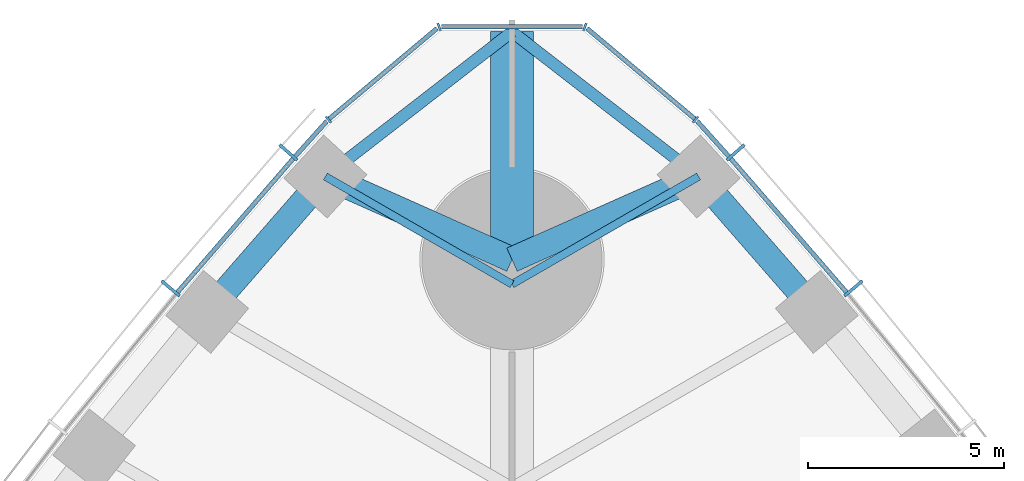
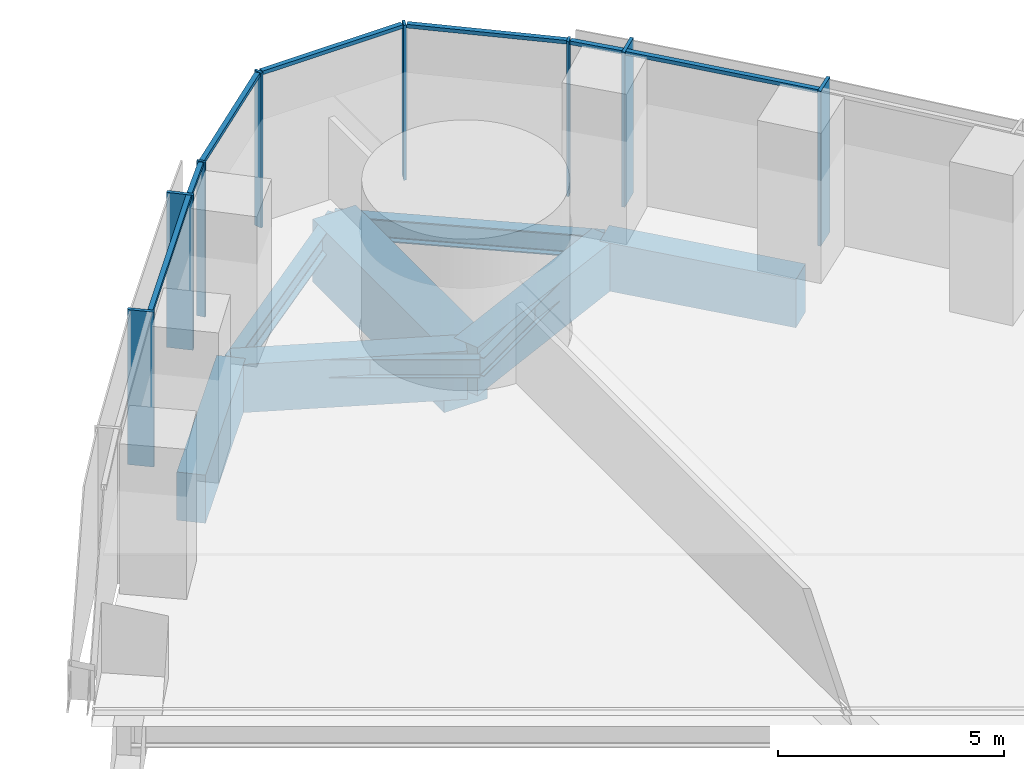
# One storey, part 7 of 19: 15 members, 9 beams, 3 elements without a shape of their own.
"""IFC4 building model written with IfcOpenShell, lengths in metres."""

import ifcopenshell
import ifcopenshell.guid

model = None  # the IFC model being written
_history = None  # IfcOwnerHistory: only IFC2X3 demands one
_inside = {}  # id of a spatial element -> (the spatial element, [elements in it])
_under = {}  # id of a project, library or spatial element -> (it, [spatial elements below it])
_declared = {}  # id of a project -> (the project, [libraries it declares])
_typed = {}  # id of a type object -> (the type object, [elements of that type])
_made_of = {}  # id of a material, layer set ... -> (it, [elements and type objects made of it])


def new_model(schema):
    """Start an empty IFC model of exactly this schema.

    Asked for "IFC4X3", IfcOpenShell would pick the latest addendum, in which some entities
    have other attributes; the version numbers below select the first issue.
    IFC2X3 requires an IfcOwnerHistory on every rooted entity: one is made here for all.
    """
    global model, _history
    if schema == "IFC4X3":
        model = ifcopenshell.file(schema_version=(4, 3, 0, 0))
    else:
        model = ifcopenshell.file(schema=schema)
    _inside.clear()
    _under.clear()
    _declared.clear()
    _typed.clear()
    _made_of.clear()
    _history = None
    if model.schema == "IFC2X3":
        org = make("IfcOrganization", Name="unknown")
        user = make(
            "IfcPersonAndOrganization",
            ThePerson=make("IfcPerson", FamilyName="unknown"),
            TheOrganization=org,
        )
        app = make(
            "IfcApplication",
            ApplicationDeveloper=org,
            Version="unknown",
            ApplicationFullName="unknown",
            ApplicationIdentifier="unknown",
        )
        _history = make(
            "IfcOwnerHistory",
            OwningUser=user,
            OwningApplication=app,
            ChangeAction="ADDED",
            CreationDate=0,
        )
    return model


def make(cls, **values):
    """One entity of the class cls with the attributes given. An attribute that is None is left unset."""
    return model.create_entity(
        cls, **{name: value for name, value in values.items() if value is not None}
    )


def rooted(cls, **values):
    """An entity with a GlobalId (a new one), such as an element, a storey or a relation."""
    return make(cls, GlobalId=ifcopenshell.guid.new(), OwnerHistory=_history, **values)


def si_unit(unit_type, name, prefix=None):
    """IfcSIUnit, for example si_unit("LENGTHUNIT", "METRE", prefix="MILLI")."""
    return make("IfcSIUnit", UnitType=unit_type, Prefix=prefix, Name=name)


def assignment(units):
    """IfcUnitAssignment: the units of a project."""
    return None if units is None else make("IfcUnitAssignment", Units=units)


def point(xyz):
    """IfcCartesianPoint."""
    return None if xyz is None else make("IfcCartesianPoint", Coordinates=xyz)


def direction(xyz):
    """IfcDirection."""
    return None if xyz is None else make("IfcDirection", DirectionRatios=xyz)


def frame(location, z_axis=None, x_axis=None):
    """IfcAxis2Placement3D, a coordinate frame: its origin and axes. An axis left out is left unset."""
    return make(
        "IfcAxis2Placement3D",
        Location=point(location),
        Axis=direction(z_axis),
        RefDirection=direction(x_axis),
    )


def frame_2d(location, x_axis=None):
    """IfcAxis2Placement2D, a coordinate frame in the plane: its origin and x axis."""
    return make(
        "IfcAxis2Placement2D", Location=point(location), RefDirection=direction(x_axis)
    )


def origin():
    """The frame at (0, 0, 0) with its axes left unset."""
    return frame((0.0, 0.0, 0.0))


def origin_2d():
    """The frame at (0, 0) in the plane with its x axis left unset."""
    return frame_2d((0.0, 0.0))


def place(relative_to, where):
    """IfcLocalPlacement: puts the frame where relative to a parent placement (None: the world)."""
    return make(
        "IfcLocalPlacement", PlacementRelTo=relative_to, RelativePlacement=where
    )


def context(
    kind, dimensions, precision=None, world=None, true_north=None, identifier=None
):
    """IfcGeometricRepresentationContext, for example the 3D "Model" context."""
    return make(
        "IfcGeometricRepresentationContext",
        ContextIdentifier=identifier,
        ContextType=kind,
        CoordinateSpaceDimension=dimensions,
        Precision=precision,
        WorldCoordinateSystem=world,
        TrueNorth=true_north,
    )


def subcontext(parent, identifier, kind, view, scale=None):
    """IfcGeometricRepresentationSubContext, for example "Body" below "Model"."""
    return make(
        "IfcGeometricRepresentationSubContext",
        ContextIdentifier=identifier,
        ContextType=kind,
        ParentContext=parent,
        TargetScale=scale,
        TargetView=view,
    )


def project(units=None, contexts=None):
    """IfcProject with its units and contexts."""
    return rooted(
        "IfcProject",
        Name="project",
        RepresentationContexts=contexts,
        UnitsInContext=assignment(units),
    )


def spatial(cls, under=None, at=None, **own):
    """A site, building, storey or space (cls), placed at a placement, below another one or the project."""
    s = rooted(cls, ObjectPlacement=at, **own)
    if under is not None:
        _under.setdefault(under.id(), (under, []))[1].append(s)
    return s


def profile(cls, at=None, kind="AREA", **sizes):
    """A parametric profile (cls). Its sizes go by their IFC names, for example OverallWidth=200.0."""
    return make(cls, ProfileType=kind, Position=at, **sizes)


def rectangle(**sizes):
    """IfcRectangleProfileDef."""
    return profile("IfcRectangleProfileDef", **sizes)


def i_section(**sizes):
    """IfcIShapeProfileDef."""
    return profile("IfcIShapeProfileDef", **sizes)


def extrude(swept, where, along, depth):
    """IfcExtrudedAreaSolid: the profile swept, set in the frame where, extruded along a direction by depth."""
    return make(
        "IfcExtrudedAreaSolid",
        SweptArea=swept,
        Position=where,
        ExtrudedDirection=direction(along),
        Depth=depth,
    )


def shape(context_of_items, identifier, shape_type, items):
    """IfcShapeRepresentation: the items that make up one representation, for example the "Body"."""
    return make(
        "IfcShapeRepresentation",
        ContextOfItems=context_of_items,
        RepresentationIdentifier=identifier,
        RepresentationType=shape_type,
        Items=items,
    )


def material(Name=None, Category=None):
    """IfcMaterial."""
    return make("IfcMaterial", Name=Name, Category=Category)


def material_profile(
    of_material, cross_section, Name=None, Category=None, Priority=None
):
    """IfcMaterialProfile: a cross section and its material."""
    return make(
        "IfcMaterialProfile",
        Name=Name,
        Material=of_material,
        Profile=cross_section,
        Priority=Priority,
        Category=Category,
    )


def profile_set(profiles, Name=None, composite=None):
    """IfcMaterialProfileSet."""
    return make(
        "IfcMaterialProfileSet",
        Name=Name,
        MaterialProfiles=profiles,
        CompositeProfile=composite,
    )


def made_of(thing, what):
    """Note that an element or type object is made of a material, layer set ...; save() writes the relation."""
    if what is not None:
        _made_of.setdefault(what.id(), (what, []))[1].append(thing)
    return thing


def type_object(cls, material=None, **own):
    """A type object (cls), such as IfcWallType, which elements share."""
    return made_of(rooted(cls, **own), material)


def element(
    cls,
    number,
    at=None,
    inside=None,
    cuts=None,
    type_object=None,
    material=None,
    context=None,
    identifier="Body",
    shape_type=None,
    held_by="IfcProductDefinitionShape",
    body=None,
    shapes=None,
    **own,
):
    """One element of the class cls, such as IfcWall. Its Tag is "e" and its number.

    at: its placement. inside: the storey or other place that contains it. cuts: it is an
    opening in that element (IfcRelVoidsElement). A single representation is given by context,
    identifier, shape_type and body (its items); several are given by shapes. held_by: the class
    of the entity that holds the representations. save() writes the other relations.
    """
    e = rooted(cls, Tag="e%d" % number, ObjectPlacement=at, **own)
    if body is not None:
        shapes = [shape(context, identifier, shape_type, body)]
    if shapes is not None:
        e.Representation = make(held_by, Representations=shapes)
    if inside is not None:
        _inside.setdefault(inside.id(), (inside, []))[1].append(e)
    if cuts is not None:
        rooted(
            "IfcRelVoidsElement", RelatingBuildingElement=cuts, RelatedOpeningElement=e
        )
    if type_object is not None:
        _typed.setdefault(type_object.id(), (type_object, []))[1].append(e)
    return made_of(e, material)


def aggregate(whole, parts):
    """IfcRelAggregates: a whole, such as a stair, and the parts it consists of."""
    return rooted("IfcRelAggregates", RelatingObject=whole, RelatedObjects=parts)


def save(model, path):
    """Write the relations noted so far, then the file.

    IfcRelAggregates (storeys below a building ...), IfcRelContainedInSpatialStructure (elements
    in a storey), IfcRelDefinesByType, IfcRelAssociatesMaterial and IfcRelDeclares: one each for
    every whole, place, type object, material and project.
    """
    for whole, parts in _under.values():
        aggregate(whole, parts)
    for where, things in _inside.values():
        rooted(
            "IfcRelContainedInSpatialStructure",
            RelatedElements=things,
            RelatingStructure=where,
        )
    for kind, things in _typed.values():
        rooted("IfcRelDefinesByType", RelatedObjects=things, RelatingType=kind)
    for what, things in _made_of.values():
        rooted("IfcRelAssociatesMaterial", RelatedObjects=things, RelatingMaterial=what)
    for by, libraries in _declared.values():
        rooted("IfcRelDeclares", RelatingContext=by, RelatedDefinitions=libraries)
    model.write(path)


model = new_model("IFC4")

# Units and contexts
model_context = context("Model", 3, precision=1e-05, world=origin(), true_north=direction((0.0, 1.0)))
body_context = subcontext(model_context, "Body", "Model", "MODEL_VIEW")
ifc_project = project(units=[si_unit("LENGTHUNIT", "METRE"), si_unit("AREAUNIT", "SQUARE_METRE"), si_unit("VOLUMEUNIT", "CUBIC_METRE"), si_unit("PLANEANGLEUNIT", "RADIAN"), si_unit("MASSUNIT", "GRAM", prefix="KILO")], contexts=[model_context])

# Site, building, storey
site_placement = place(None, origin())
site = spatial("IfcSite", under=ifc_project, at=site_placement, CompositionType="ELEMENT")
building_placement = place(site_placement, origin())
building = spatial("IfcBuilding", under=site, at=building_placement, Name="Trefoil Bronze Tower", CompositionType="ELEMENT")
storey_placement = place(building_placement, frame((0.0, 0.0, 45.89990234375)))
storey = spatial("IfcBuildingStorey", under=building, at=storey_placement, Name="L10", CompositionType="ELEMENT", Elevation=45.89990234375)

# Curtain wall, members
ifc_material_1 = material(Name="Tinted solar-control glass", Category="glass")
curtain_wall_type_1 = type_object("IfcCurtainWallType", Name="Bronze office curtain wall", PredefinedType="USERDEFINED", material=ifc_material_1)
curtain_wall_1_placement = place(storey_placement, origin())
curtain_wall_1 = element("IfcCurtainWall", 1, at=curtain_wall_1_placement, inside=storey, type_object=curtain_wall_type_1, Name="CW-A L10 F2", ObjectType="CURTAIN WALL", PredefinedType="USERDEFINED")
ifc_material_2 = material(Name="Bronze-finish aluminium", Category="aluminium")
ifc_material_profile_1 = material_profile(ifc_material_2, rectangle(XDim=0.60009765625, YDim=0.080078125, at=origin_2d()), Name="CW-A mullion")
ifc_profile_set_1 = profile_set([ifc_material_profile_1], Name="Bronze-finish aluminium")
member_type_1 = type_object("IfcMemberType", Name="Bronze office curtain wall mullion", PredefinedType="MULLION", material=ifc_profile_set_1)
member_1_placement = place(storey_placement, frame((8.709716796875, 36.265869140625, 0.0), z_axis=(0.0, 0.0, 1.0), x_axis=(-0.765729101889, -0.643163231629, 0.0)))
member_1 = element("IfcMember", 2, at=member_1_placement, type_object=member_type_1, Name="CW-A L10 F2 mullion 15", PredefinedType="MULLION", context=body_context, shape_type="SweptSolid", body=[
    extrude(rectangle(XDim=0.60009765625, YDim=0.080078125, at=origin_2d()), origin(), (0.0, 0.0, 1.0), 4.18017578125),
])
member_2_placement = place(storey_placement, frame((5.70654296875, 39.736328125, 0.0), z_axis=(0.0, 0.0, 1.0), x_axis=(-0.7499405861, -0.661505190698, 0.0)))
member_2 = element("IfcMember", 3, at=member_2_placement, type_object=member_type_1, Name="CW-A L10 F2 mullion 16", PredefinedType="MULLION", context=body_context, shape_type="SweptSolid", body=[
    extrude(rectangle(XDim=0.60009765625, YDim=0.080078125, at=origin_2d()), origin(), (0.0, 0.0, 1.0), 4.18017578125),
])

curtain_wall_2_placement = place(storey_placement, origin())
curtain_wall_2 = element("IfcCurtainWall", 4, at=curtain_wall_2_placement, inside=storey, type_object=curtain_wall_type_1, Name="CW-A L10 F3", ObjectType="CURTAIN WALL", PredefinedType="USERDEFINED")
member_3_placement = place(storey_placement, frame((-5.70654296875, 39.736328125, 0.0), z_axis=(0.0, 0.0, 1.0), x_axis=(0.7499405861, -0.661505190698, 0.0)))
member_3 = element("IfcMember", 5, at=member_3_placement, type_object=member_type_1, Name="CW-A L10 F3 mullion 2", PredefinedType="MULLION", context=body_context, shape_type="SweptSolid", body=[
    extrude(rectangle(XDim=0.60009765625, YDim=0.080078125, at=origin_2d()), origin(), (0.0, 0.0, 1.0), 4.18017578125),
])
member_4_placement = place(storey_placement, frame((-8.709716796875, 36.265869140625, 0.0), z_axis=(0.0, 0.0, 1.0), x_axis=(0.765729101889, -0.643163231629, 0.0)))
member_4 = element("IfcMember", 6, at=member_4_placement, type_object=member_type_1, Name="CW-A L10 F3 mullion 3", PredefinedType="MULLION", context=body_context, shape_type="SweptSolid", body=[
    extrude(rectangle(XDim=0.60009765625, YDim=0.080078125, at=origin_2d()), origin(), (0.0, 0.0, 1.0), 4.18017578125),
])

# Member
ifc_material_3 = material(Name="Bronze-finish aluminium", Category="aluminium")
ifc_material_profile_2 = material_profile(ifc_material_3, rectangle(XDim=0.1201171875, YDim=0.10009765625, at=origin_2d()), Name="CW-A transom")
ifc_profile_set_2 = profile_set([ifc_material_profile_2], Name="Bronze-finish aluminium")
member_type_2 = type_object("IfcMemberType", Name="Bronze office curtain wall transom", PredefinedType="USERDEFINED", material=ifc_profile_set_2)
member_5_placement = place(storey_placement, frame((8.529541015625, 36.16845703125, 4.130126953125), z_axis=(-0.654383303203, 0.75616300656, 0.0), x_axis=(-0.75616300656, -0.654383303203, 0.0)))
member_5 = element("IfcMember", 7, at=member_5_placement, type_object=member_type_2, Name="CW-A L10 F2 transom 15", ObjectType="TRANSOM", PredefinedType="USERDEFINED", context=body_context, shape_type="SweptSolid", body=[
    extrude(rectangle(XDim=0.1201171875, YDim=0.10009765625, at=origin_2d()), origin(), (0.0, 0.0, 1.0), 4.50244140625),
])

member_6_placement = place(storey_placement, frame((5.529052734375, 39.634521484375, 4.130126953125), z_axis=(-0.66858567461, 0.743635122695, 0.0), x_axis=(-0.743635122695, -0.66858567461, 0.0)))
member_6 = element("IfcMember", 8, at=member_6_placement, type_object=member_type_2, Name="CW-A L10 F2 transom 16", ObjectType="TRANSOM", PredefinedType="USERDEFINED", context=body_context, shape_type="SweptSolid", body=[
    extrude(rectangle(XDim=0.1201171875, YDim=0.10009765625, at=origin_2d()), origin(), (0.0, 0.0, 1.0), 1.210205078125),
])

aggregate(curtain_wall_1, [member_1, member_2, member_5, member_6])

member_7_placement = place(storey_placement, frame((-4.719970703125, 40.534423828125, 4.130126953125), z_axis=(-0.66858567461, -0.743635122695, 0.0), x_axis=(0.743635122695, -0.66858567461, 0.0)))
member_7 = element("IfcMember", 9, at=member_7_placement, type_object=member_type_2, Name="CW-A L10 F3 transom 1", ObjectType="TRANSOM", PredefinedType="USERDEFINED", context=body_context, shape_type="SweptSolid", body=[
    extrude(rectangle(XDim=0.1201171875, YDim=0.10009765625, at=origin_2d()), origin(), (0.0, 0.0, 1.0), 1.210205078125),
])

member_8_placement = place(storey_placement, frame((-5.583251953125, 39.572998046875, 4.130126953125), z_axis=(-0.654383303203, -0.75616300656, 0.0), x_axis=(0.75616300656, -0.654383303203, 0.0)))
member_8 = element("IfcMember", 10, at=member_8_placement, type_object=member_type_2, Name="CW-A L10 F3 transom 2", ObjectType="TRANSOM", PredefinedType="USERDEFINED", context=body_context, shape_type="SweptSolid", body=[
    extrude(rectangle(XDim=0.1201171875, YDim=0.10009765625, at=origin_2d()), origin(), (0.0, 0.0, 1.0), 4.50244140625),
])

aggregate(curtain_wall_2, [member_3, member_4, member_7, member_8])

# Curtain wall, members
ifc_material_4 = material(Name="Tinted solar-control glass", Category="glass")
curtain_wall_type_2 = type_object("IfcCurtainWallType", Name="Bronze rounded corner curtain wall", PredefinedType="USERDEFINED", material=ifc_material_4)
curtain_wall_3_placement = place(storey_placement, origin())
curtain_wall_3 = element("IfcCurtainWall", 11, at=curtain_wall_3_placement, inside=storey, type_object=curtain_wall_type_2, Name="CW-B L10 K2", ObjectType="CURTAIN WALL", PredefinedType="USERDEFINED")
ifc_material_5 = material(Name="Bronze-finish aluminium", Category="aluminium")
ifc_material_profile_3 = material_profile(ifc_material_5, rectangle(XDim=0.199951171875, YDim=0.06005859375, at=origin_2d()), Name="CW-B mullion")
ifc_profile_set_3 = profile_set([ifc_material_profile_3], Name="Bronze-finish aluminium")
member_type_3 = type_object("IfcMemberType", Name="Bronze rounded corner curtain wall mullion", PredefinedType="MULLION", material=ifc_profile_set_3)
member_9_placement = place(storey_placement, frame((4.68310546875, 40.573974609375, 0.0), z_axis=(0.0, 0.0, 1.0), x_axis=(-0.642787609687, -0.766044443119, 0.0)))
member_9 = element("IfcMember", 12, at=member_9_placement, type_object=member_type_3, Name="CW-B L10 K2 mullion 1", PredefinedType="MULLION", context=body_context, shape_type="SweptSolid", body=[
    extrude(rectangle(XDim=0.199951171875, YDim=0.06005859375, at=origin_2d()), origin(), (0.0, 0.0, 1.0), 4.18017578125),
])
member_10_placement = place(storey_placement, frame((1.8583984375, 42.9365234375, 0.0), z_axis=(0.0, 0.0, 1.0), x_axis=(-0.342020143326, -0.939692620786, 0.0)))
member_10 = element("IfcMember", 13, at=member_10_placement, type_object=member_type_3, Name="CW-B L10 K2 mullion 2", PredefinedType="MULLION", context=body_context, shape_type="SweptSolid", body=[
    extrude(rectangle(XDim=0.199951171875, YDim=0.06005859375, at=origin_2d()), origin(), (0.0, 0.0, 1.0), 4.18017578125),
])
member_11_placement = place(storey_placement, frame((-1.8583984375, 42.9365234375, 0.0), z_axis=(0.0, 0.0, 1.0), x_axis=(0.342020143326, -0.939692620786, 0.0)))
member_11 = element("IfcMember", 14, at=member_11_placement, type_object=member_type_3, Name="CW-B L10 K2 mullion 3", PredefinedType="MULLION", context=body_context, shape_type="SweptSolid", body=[
    extrude(rectangle(XDim=0.199951171875, YDim=0.06005859375, at=origin_2d()), origin(), (0.0, 0.0, 1.0), 4.18017578125),
])
member_12_placement = place(storey_placement, frame((-4.68310546875, 40.573974609375, 0.0), z_axis=(0.0, 0.0, 1.0), x_axis=(0.642787609687, -0.766044443119, 0.0)))
member_12 = element("IfcMember", 15, at=member_12_placement, type_object=member_type_3, Name="CW-B L10 K2 mullion 4", PredefinedType="MULLION", context=body_context, shape_type="SweptSolid", body=[
    extrude(rectangle(XDim=0.199951171875, YDim=0.06005859375, at=origin_2d()), origin(), (0.0, 0.0, 1.0), 4.18017578125),
])
ifc_material_6 = material(Name="Bronze-finish aluminium", Category="aluminium")
ifc_material_profile_4 = material_profile(ifc_material_6, rectangle(XDim=0.1201171875, YDim=0.10009765625, at=origin_2d()), Name="CW-B transom")
ifc_profile_set_4 = profile_set([ifc_material_profile_4], Name="Bronze-finish aluminium")
member_type_4 = type_object("IfcMemberType", Name="Bronze rounded corner curtain wall transom", PredefinedType="USERDEFINED", material=ifc_profile_set_4)
member_13_placement = place(storey_placement, frame((4.66015625, 40.59326171875, 4.130126953125), z_axis=(-0.766058606238, 0.642770730361, 0.0), x_axis=(-0.642770730361, -0.766058606238, 0.0)))
member_13 = element("IfcMember", 16, at=member_13_placement, type_object=member_type_4, Name="CW-B L10 K2 transom 1", ObjectType="TRANSOM", PredefinedType="USERDEFINED", context=body_context, shape_type="SweptSolid", body=[
    extrude(rectangle(XDim=0.1201171875, YDim=0.10009765625, at=origin_2d()), origin(), (0.0, 0.0, 1.0), 3.588134765625),
])
member_14_placement = place(storey_placement, frame((1.794189453125, 42.9423828125, 4.130126953125), z_axis=(-1.0, 0.0, 0.0), x_axis=(0.0, -1.0, 0.0)))
member_14 = element("IfcMember", 17, at=member_14_placement, type_object=member_type_4, Name="CW-B L10 K2 transom 2", ObjectType="TRANSOM", PredefinedType="USERDEFINED", context=body_context, shape_type="SweptSolid", body=[
    extrude(rectangle(XDim=0.1201171875, YDim=0.10009765625, at=origin_2d()), origin(), (0.0, 0.0, 1.0), 3.58837890625),
])
member_15_placement = place(storey_placement, frame((-1.911376953125, 42.899658203125, 4.130126953125), z_axis=(-0.766058606238, -0.642770730361, 0.0), x_axis=(0.642770730361, -0.766058606238, 0.0)))
member_15 = element("IfcMember", 18, at=member_15_placement, type_object=member_type_4, Name="CW-B L10 K2 transom 3", ObjectType="TRANSOM", PredefinedType="USERDEFINED", context=body_context, shape_type="SweptSolid", body=[
    extrude(rectangle(XDim=0.1201171875, YDim=0.10009765625, at=origin_2d()), origin(), (0.0, 0.0, 1.0), 3.588134765625),
])
aggregate(curtain_wall_3, [member_9, member_10, member_11, member_12, member_13, member_14, member_15])

# Beams
ifc_material_7 = material(Name="Concrete B80", Category="concrete")
ifc_material_profile_5 = material_profile(ifc_material_7, rectangle(XDim=1.10009765625, YDim=1.699951171875, at=origin_2d()), Name="RC 1100x1700")
ifc_profile_set_5 = profile_set([ifc_material_profile_5], Name="Concrete B80")
beam_type_1 = type_object("IfcBeamType", Name="Corner cantilever RC 1100x1700", PredefinedType="BEAM", material=ifc_profile_set_5)
beam_placement = place(storey_placement, frame((0.0, 37.0, -1.0498046875), z_axis=(0.0, 1.0, 0.0), x_axis=(-1.0, 0.0, 0.0)))
element("IfcBeam", 19, at=beam_placement, inside=storey, type_object=beam_type_1, Name="Corner cantilever K2 L10", PredefinedType="BEAM", context=body_context, shape_type="SweptSolid", body=[
    extrude(rectangle(XDim=1.10009765625, YDim=1.699951171875, at=origin_2d()), origin(), (0.0, 0.0, 1.0), 5.814208984375),
])
ifc_material_8 = material(Name="Steel C355", Category="steel")
ifc_material_profile_6 = material_profile(ifc_material_8, i_section(OverallWidth=0.300048828125, OverallDepth=0.60009765625, WebThickness=0.015380859375, FlangeThickness=0.030029296875, FilletRadius=0.027099609375, at=origin_2d()), Name="HEB 600")
ifc_profile_set_6 = profile_set([ifc_material_profile_6], Name="Steel C355")
beam_type_2 = type_object("IfcBeamType", Name="Corner edge beam HEB 600", PredefinedType="BEAM", material=ifc_profile_set_6)
for number, where, z_axis, x_axis, name in (
    (20, (4.76171875, 39.122314453125, -0.5), (-0.790289474622, 0.612733666696, 0.0), (-0.612733666696, -0.790289474622, 0.0), "Corner edge beam F2A L10"),
    (21, (-4.76171875, 39.122314453125, -0.5), (0.790289474622, 0.612733666696, 0.0), (-0.612733666696, 0.790289474622, 0.0), "Corner edge beam F3B L10"),
):
    element("IfcBeam", number, at=place(storey_placement, frame(where, z_axis=z_axis, x_axis=x_axis)), inside=storey, type_object=beam_type_2, Name=name, PredefinedType="BEAM", context=body_context, shape_type="SweptSolid", body=[
        extrude(i_section(OverallWidth=0.300048828125, OverallDepth=0.60009765625, WebThickness=0.015380859375, FlangeThickness=0.030029296875, FilletRadius=0.027099609375, at=origin_2d()), origin(), (0.0, 0.0, 1.0), 6.025390625),
    ])
ifc_material_9 = material(Name="Concrete B80", Category="concrete")
ifc_material_profile_7 = material_profile(ifc_material_9, rectangle(XDim=0.64990234375, YDim=1.300048828125, at=origin_2d()), Name="RC 650x1300")
ifc_profile_set_7 = profile_set([ifc_material_profile_7], Name="Concrete B80")
beam_type_3 = type_object("IfcBeamType", Name="End spandrel beam RC 650x1300", PredefinedType="SPANDREL", material=ifc_profile_set_7)
for number, where, z_axis, x_axis, name in (
    (22, (4.76171875, 39.122314453125, -0.849853515625), (-0.913384257879, -0.407098510754, 0.0), (0.407098510754, -0.913384257879, 0.0), "Spandrel F2.16 L10"),
    (23, (0.0, 37.0, -0.849853515625), (-0.913384257879, 0.407098510754, 0.0), (-0.407098510754, -0.913384257879, 0.0), "Spandrel F3.1 L10"),
):
    element("IfcBeam", number, at=place(storey_placement, frame(where, z_axis=z_axis, x_axis=x_axis)), inside=storey, type_object=beam_type_3, Name=name, PredefinedType="SPANDREL", context=body_context, shape_type="SweptSolid", body=[
        extrude(rectangle(XDim=0.64990234375, YDim=1.300048828125, at=origin_2d()), origin(), (0.0, 0.0, 1.0), 5.21337890625),
    ])
ifc_material_10 = material(Name="Steel C355", Category="steel")
ifc_material_profile_8 = material_profile(ifc_material_10, i_section(OverallWidth=0.199951171875, OverallDepth=0.5, WebThickness=0.01025390625, FlangeThickness=0.01611328125, FilletRadius=0.02099609375, at=origin_2d()), Name="IPE 500")
ifc_profile_set_8 = profile_set([ifc_material_profile_8], Name="Steel C355")
beam_type_4 = type_object("IfcBeamType", Name="Floor beam IPE 500", PredefinedType="BEAM", material=ifc_profile_set_8)
for number, where, z_axis, x_axis, name in (
    (24, (4.76171875, 39.122314453125, -0.449951171875), (-0.866018475376, -0.500012000164, 0.0), (0.500012000164, -0.866018475376, 0.0), "Floor beam F2/+7 L10"),
    (25, (-4.76171875, 39.122314453125, -0.449951171875), (0.866018475376, -0.500012000164, 0.0), (0.500012000164, 0.866018475376, 0.0), "Floor beam F3/-7 L10"),
):
    element("IfcBeam", number, at=place(storey_placement, frame(where, z_axis=z_axis, x_axis=x_axis)), inside=storey, type_object=beam_type_4, Name=name, PredefinedType="BEAM", context=body_context, shape_type="SweptSolid", body=[
        extrude(i_section(OverallWidth=0.199951171875, OverallDepth=0.5, WebThickness=0.01025390625, FlangeThickness=0.01611328125, FilletRadius=0.02099609375, at=origin_2d()), origin(), (0.0, 0.0, 1.0), 5.498291015625),
    ])
ifc_material_11 = material(Name="Concrete B80", Category="concrete")
ifc_material_profile_9 = material_profile(ifc_material_11, rectangle(XDim=0.64990234375, YDim=1.300048828125, at=origin_2d()), Name="RC 650x1300")
ifc_profile_set_9 = profile_set([ifc_material_profile_9], Name="Concrete B80")
beam_type_5 = type_object("IfcBeamType", Name="Spandrel beam RC 650x1300", PredefinedType="SPANDREL", material=ifc_profile_set_9)
for number, where, z_axis, x_axis, name in (
    (26, (7.7763671875, 35.666748046875, -0.849853515625), (-0.657395767989, 0.753545489158, 0.0), (-0.753545489158, -0.657395767989, 0.0), "Spandrel F2.15 L10"),
    (27, (-4.76171875, 39.122314453125, -0.849853515625), (-0.657395767989, -0.753545489158, 0.0), (0.753545489158, -0.657395767989, 0.0), "Spandrel F3.2 L10"),
):
    element("IfcBeam", number, at=place(storey_placement, frame(where, z_axis=z_axis, x_axis=x_axis)), inside=storey, type_object=beam_type_5, Name=name, PredefinedType="SPANDREL", context=body_context, shape_type="SweptSolid", body=[
        extrude(rectangle(XDim=0.64990234375, YDim=1.300048828125, at=origin_2d()), origin(), (0.0, 0.0, 1.0), 4.585693359375),
    ])

save(model, "model.ifc")
